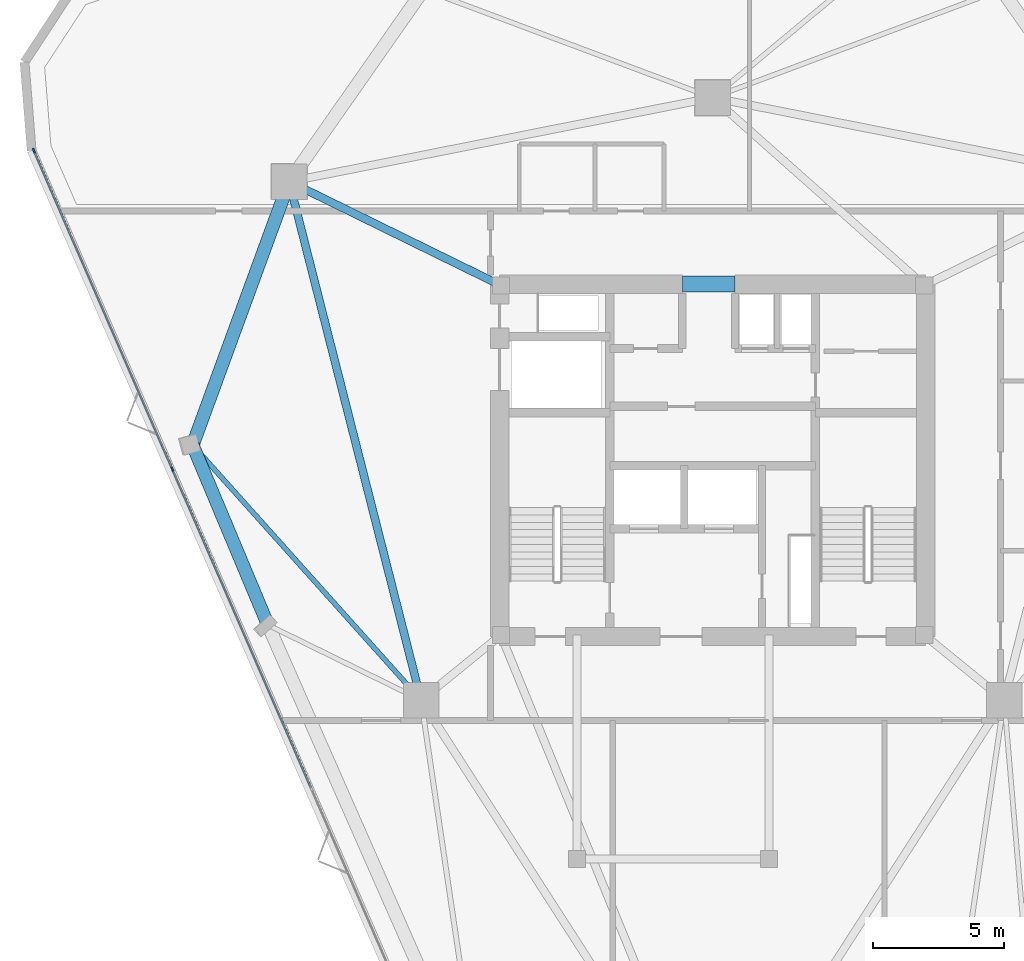
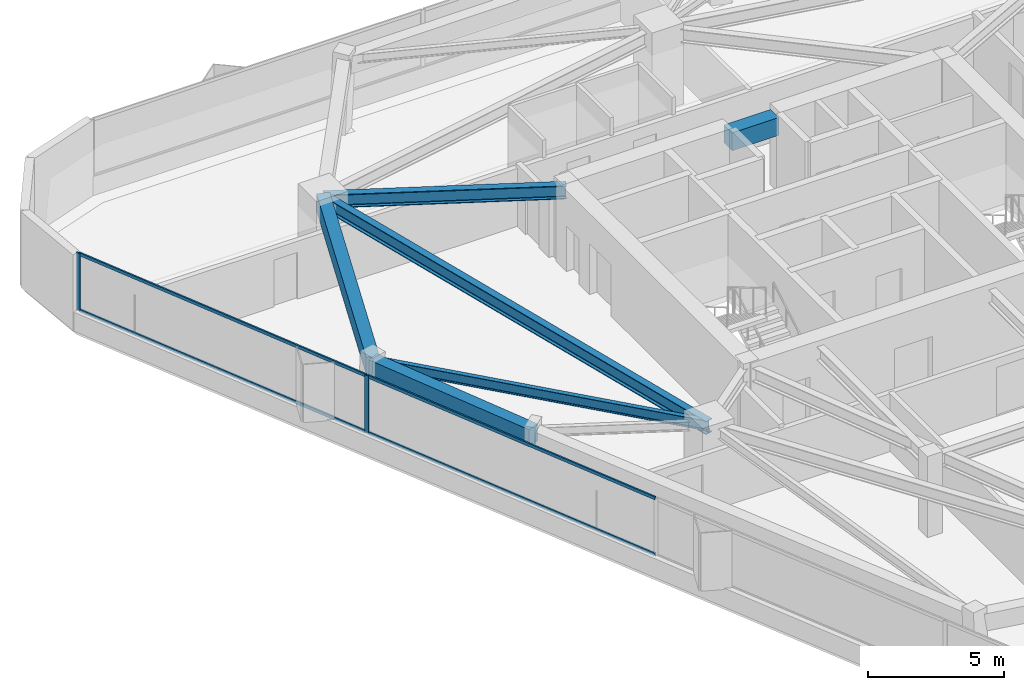
# One storey, part 5 of 13: 6 beams, 6 members, 1 element without a shape of its own.
"""IFC4 building model written with IfcOpenShell, lengths in metres."""

from ifc_helpers import new_model, si_unit, direction, frame, origin, origin_2d, place, context, subcontext, project, spatial, rectangle, i_section, extrude, material, layer, layer_set, material_profile, profile_set, type_object, element, aggregate, save


model = new_model("IFC4")

# Units and contexts
model_context = context("Model", 3, precision=1e-05, world=origin(), true_north=direction((0.0, 1.0)))
body_context = subcontext(model_context, "Body", "Model", "MODEL_VIEW")
ifc_project = project(units=[si_unit("LENGTHUNIT", "METRE"), si_unit("AREAUNIT", "SQUARE_METRE"), si_unit("VOLUMEUNIT", "CUBIC_METRE"), si_unit("PLANEANGLEUNIT", "RADIAN"), si_unit("MASSUNIT", "GRAM", prefix="KILO")], contexts=[model_context])

# Site, building, storey
site_placement = place(None, origin())
site = spatial("IfcSite", under=ifc_project, at=site_placement, CompositionType="ELEMENT")
building_placement = place(site_placement, origin())
building = spatial("IfcBuilding", under=site, at=building_placement, Name="Talyreon Biosciences Tower", CompositionType="ELEMENT")
storey_placement = place(building_placement, frame((0.0, 0.0, 190.35009765625)))
storey = spatial("IfcBuildingStorey", under=building, at=storey_placement, Name="L50", CompositionType="ELEMENT", Elevation=190.35009765625)

# Curtain wall, members
ifc_material_1 = material(Name="Thermally broken aluminium and low-E glazing", Category="aluminium")
ifc_layer = layer(ifc_material_1, 0.179931640625)
ifc_layer_set = layer_set([ifc_layer], Name="Thermally broken aluminium and low-E glazing")
curtain_wall_type = type_object("IfcCurtainWallType", Name="CurtainWall_Zone4Optical", PredefinedType="NOTDEFINED", material=ifc_layer_set)
curtain_wall_placement = place(storey_placement, origin())
curtain_wall = element("IfcCurtainWall", 1, at=curtain_wall_placement, inside=storey, type_object=curtain_wall_type, Name="L50 Unitised Curtain Wall FCW-L50-00", PredefinedType="NOTDEFINED")
ifc_material_2 = material(Name="Anodised thermally broken aluminium", Category="aluminium")
ifc_material_profile_1 = material_profile(ifc_material_2, rectangle(XDim=0.06494140625, YDim=0.179931640625, at=origin_2d()), Name="ALUM MULLION 65x180")
ifc_profile_set_1 = profile_set([ifc_material_profile_1], Name="Anodised thermally broken aluminium")
member_type_1 = type_object("IfcMemberType", Name="CWMullion_65x180", PredefinedType="MULLION", material=ifc_profile_set_1)
member_1_placement = place(storey_placement, frame((45.456787109375, 67.664794921875, 0.809814453125), z_axis=(0.0, 0.0, 1.0), x_axis=(-0.917010897502, -0.398862148946, 0.0)))
member_1 = element("IfcMember", 2, at=member_1_placement, type_object=member_type_1, Name="CW5 mullion 4", PredefinedType="MULLION", context=body_context, shape_type="SweptSolid", body=[
    extrude(rectangle(XDim=0.06494140625, YDim=0.179931640625, at=origin_2d()), origin(), (0.0, 0.0, 1.0), 2.590087890625),
])
member_2_placement = place(storey_placement, frame((40.187255859375, 79.780029296875, 0.809814453125), z_axis=(0.0, 0.0, 1.0), x_axis=(-0.917010897502, -0.398862148946, 0.0)))
member_2 = element("IfcMember", 3, at=member_2_placement, type_object=member_type_1, Name="CW5 mullion 5", PredefinedType="MULLION", context=body_context, shape_type="SweptSolid", body=[
    extrude(rectangle(XDim=0.06494140625, YDim=0.179931640625, at=origin_2d()), origin(), (0.0, 0.0, 1.0), 2.590087890625),
])
ifc_material_profile_2 = material_profile(ifc_material_2, rectangle(XDim=0.06494140625, YDim=0.139892578125, at=origin_2d()), Name="ALUM TRANSOM 65x140")
ifc_profile_set_2 = profile_set([ifc_material_profile_2], Name="Anodised thermally broken aluminium")
member_type_2 = type_object("IfcMemberType", Name="CWTransom_65x140", PredefinedType="USERDEFINED", material=ifc_profile_set_2)
member_3_placement = place(storey_placement, frame((50.7265625, 55.54931640625, 0.84228515625), z_axis=(-0.398872418552, 0.917006430576, 0.0), x_axis=(-0.917006430576, -0.398872418552, 0.0)))
member_3 = element("IfcMember", 4, at=member_3_placement, type_object=member_type_2, Name="CW5 transom 3.1", ObjectType="TRANSOM", PredefinedType="USERDEFINED", context=body_context, shape_type="SweptSolid", body=[
    extrude(rectangle(XDim=0.06494140625, YDim=0.139892578125, at=origin_2d()), origin(), (0.0, 0.0, 1.0), 13.17919921875),
])
member_4_placement = place(storey_placement, frame((50.7265625, 55.54931640625, 3.367431640625), z_axis=(-0.398872418552, 0.917006430576, 0.0), x_axis=(-0.917006430576, -0.398872418552, 0.0)))
member_4 = element("IfcMember", 5, at=member_4_placement, type_object=member_type_2, Name="CW5 transom 3.2", ObjectType="TRANSOM", PredefinedType="USERDEFINED", context=body_context, shape_type="SweptSolid", body=[
    extrude(rectangle(XDim=0.06494140625, YDim=0.139892578125, at=origin_2d()), origin(), (0.0, 0.0, 1.0), 13.17919921875),
])
member_5_placement = place(storey_placement, frame((45.44384765625, 67.694580078125, 0.84228515625), z_axis=(-0.39885784292, 0.917012770435, 0.0), x_axis=(-0.917012770435, -0.39885784292, 0.0)))
member_5 = element("IfcMember", 6, at=member_5_placement, type_object=member_type_2, Name="CW5 transom 4.1", ObjectType="TRANSOM", PredefinedType="USERDEFINED", context=body_context, shape_type="SweptSolid", body=[
    extrude(rectangle(XDim=0.06494140625, YDim=0.139892578125, at=origin_2d()), origin(), (0.0, 0.0, 1.0), 13.146728515625),
])
member_6_placement = place(storey_placement, frame((45.44384765625, 67.694580078125, 3.367431640625), z_axis=(-0.39885784292, 0.917012770435, 0.0), x_axis=(-0.917012770435, -0.39885784292, 0.0)))
member_6 = element("IfcMember", 7, at=member_6_placement, type_object=member_type_2, Name="CW5 transom 4.2", ObjectType="TRANSOM", PredefinedType="USERDEFINED", context=body_context, shape_type="SweptSolid", body=[
    extrude(rectangle(XDim=0.06494140625, YDim=0.139892578125, at=origin_2d()), origin(), (0.0, 0.0, 1.0), 13.146728515625),
])
aggregate(curtain_wall, [member_1, member_2, member_3, member_4, member_5, member_6])

# Beams
ifc_material_3 = material(Name="Concrete C50/60", Category="concrete")
ifc_material_profile_3 = material_profile(ifc_material_3, rectangle(XDim=0.60009765625, YDim=0.800048828125, at=origin_2d()), Name="RCB 600x800")
ifc_profile_set_3 = profile_set([ifc_material_profile_3], Name="Concrete C50/60")
beam_type_1 = type_object("IfcBeamType", Name="CoreCouplingLintel_600x800", PredefinedType="LINTEL", material=ifc_profile_set_3)
beam_1_placement = place(storey_placement, frame((64.85009765625, 74.699951171875, 3.0), z_axis=(1.0, 0.0, 0.0), x_axis=(0.0, 1.0, 0.0)))
element("IfcBeam", 8, at=beam_1_placement, inside=storey, type_object=beam_type_1, Name="L50 Core Coupling Lintel", PredefinedType="LINTEL", context=body_context, shape_type="SweptSolid", body=[
    extrude(rectangle(XDim=0.60009765625, YDim=0.800048828125, at=origin_2d()), origin(), (0.0, 0.0, 1.0), 2.0),
])
ifc_material_4 = material(Name="Precast concrete C45/55", Category="concrete")
ifc_material_profile_4 = material_profile(ifc_material_4, rectangle(XDim=0.5, YDim=0.780029296875, at=origin_2d()), Name="RCB 500x780")
ifc_profile_set_4 = profile_set([ifc_material_profile_4], Name="Precast concrete C45/55")
beam_type_2 = type_object("IfcBeamType", Name="ExpressedSpandrel_500x780", PredefinedType="SPANDREL", material=ifc_profile_set_4)
beam_2_placement = place(storey_placement, frame((49.897705078125, 78.5986328125, 3.010009765625), z_axis=(-0.343953510514, -0.938986678609, 0.0), x_axis=(0.938986678609, -0.343953510514, 0.0)))
element("IfcBeam", 9, at=beam_2_placement, inside=storey, type_object=beam_type_2, Name="L50 Expressed Horizontal Concrete Spandrel 09", PredefinedType="SPANDREL", context=body_context, shape_type="SweptSolid", body=[
    extrude(rectangle(XDim=0.5, YDim=0.780029296875, at=origin_2d()), origin(), (0.0, 0.0, 1.0), 10.672607421875),
])
beam_3_placement = place(storey_placement, frame((46.226806640625, 68.5771484375, 3.010009765625), z_axis=(0.386453960768, -0.922308698976, 0.0), x_axis=(0.922308698976, 0.386453960768, 0.0)))
element("IfcBeam", 10, at=beam_3_placement, inside=storey, type_object=beam_type_2, Name="L50 Expressed Horizontal Concrete Spandrel 10", PredefinedType="SPANDREL", context=body_context, shape_type="SweptSolid", body=[
    extrude(rectangle(XDim=0.5, YDim=0.780029296875, at=origin_2d()), origin(), (0.0, 0.0, 1.0), 7.417236328125),
])
ifc_material_5 = material(Name="Steel SM355", Category="steel")
ifc_material_profile_5 = material_profile(ifc_material_5, i_section(OverallWidth=0.300048828125, OverallDepth=0.60009765625, WebThickness=0.015380859375, FlangeThickness=0.030029296875, FilletRadius=0.027099609375, at=origin_2d()), Name="HE600B")
ifc_profile_set_5 = profile_set([ifc_material_profile_5], Name="Steel SM355")
beam_type_3 = type_object("IfcBeamType", Name="SteelBeam_HE600B", PredefinedType="BEAM", material=ifc_profile_set_5)
beam_4_placement = place(storey_placement, frame((49.897705078125, 78.5986328125, 3.099853515625), z_axis=(0.246537082299, -0.969133358755, 0.0), x_axis=(0.969133358755, 0.246537082299, 0.0)))
element("IfcBeam", 11, at=beam_4_placement, inside=storey, type_object=beam_type_3, Name="L50 Mega-Ring Girder 5", PredefinedType="BEAM", context=body_context, shape_type="SweptSolid", body=[
    extrude(i_section(OverallWidth=0.300048828125, OverallDepth=0.60009765625, WebThickness=0.015380859375, FlangeThickness=0.030029296875, FilletRadius=0.027099609375, at=origin_2d()), origin(), (0.0, 0.0, 1.0), 20.34619140625),
])
beam_5_placement = place(storey_placement, frame((57.949951171875, 74.64990234375, 3.099853515625), z_axis=(-0.897852360314, 0.440296648952, 0.0), x_axis=(-0.440296648952, -0.897852360314, 0.0)))
element("IfcBeam", 12, at=beam_5_placement, inside=storey, type_object=beam_type_3, Name="L50 Radial Primary Girder 5", PredefinedType="BEAM", context=body_context, shape_type="SweptSolid", body=[
    extrude(i_section(OverallWidth=0.300048828125, OverallDepth=0.60009765625, WebThickness=0.015380859375, FlangeThickness=0.030029296875, FilletRadius=0.027099609375, at=origin_2d()), origin(), (0.0, 0.0, 1.0), 8.96826171875),
])
ifc_material_profile_6 = material_profile(ifc_material_5, i_section(OverallWidth=0.18994140625, OverallDepth=0.449951171875, WebThickness=0.009521484375, FlangeThickness=0.0146484375, FilletRadius=0.02099609375, at=origin_2d()), Name="IPE450")
ifc_profile_set_6 = profile_set([ifc_material_profile_6], Name="Steel SM355")
beam_type_4 = type_object("IfcBeamType", Name="SteelJoist_IPE450", PredefinedType="JOIST", material=ifc_profile_set_6)
beam_6_placement = place(storey_placement, frame((54.913818359375, 58.88037109375, 3.1748046875), z_axis=(-0.667261759546, 0.744823297331, 0.0), x_axis=(-0.744823297331, -0.667261759546, 0.0)))
element("IfcBeam", 13, at=beam_6_placement, inside=storey, type_object=beam_type_4, Name="L50 Radial Composite Floor Joist PC-SW1", PredefinedType="JOIST", context=body_context, shape_type="SweptSolid", body=[
    extrude(i_section(OverallWidth=0.18994140625, OverallDepth=0.449951171875, WebThickness=0.009521484375, FlangeThickness=0.0146484375, FilletRadius=0.02099609375, at=origin_2d()), origin(), (0.0, 0.0, 1.0), 13.018798828125),
])

save(model, "model.ifc")
